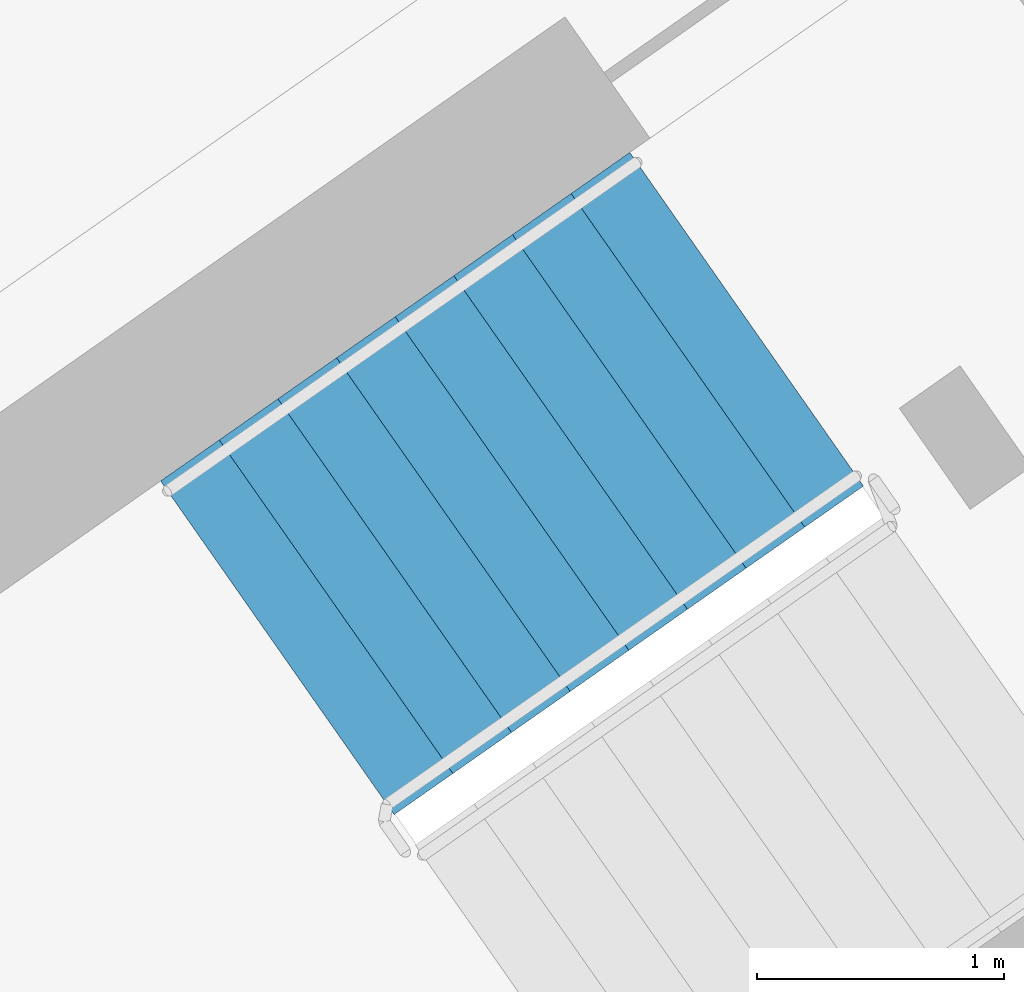
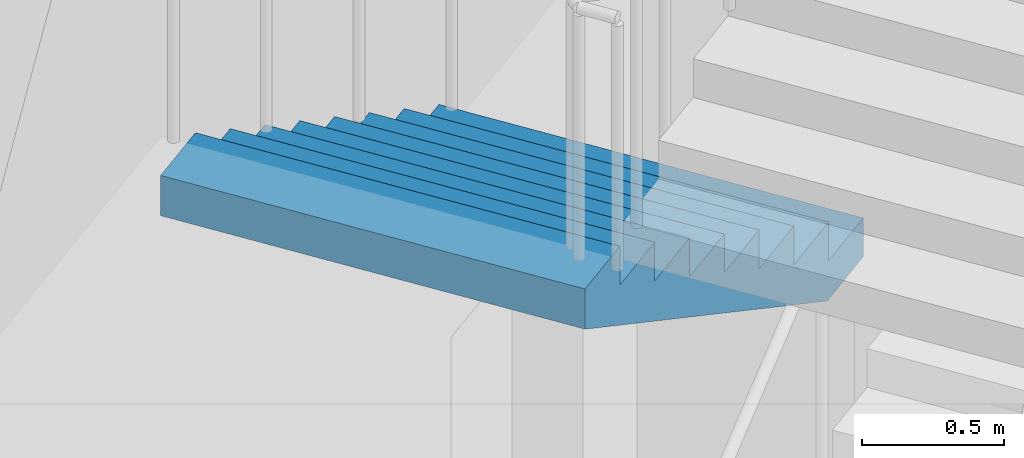
# One storey, part 19 of 41: 1 stair flight, 1 element without a shape of its own.
"""IFC4 building model written with IfcOpenShell, lengths in metres."""

from ifc_helpers import new_model, si_unit, direction, frame, origin, place, context, subcontext, project, spatial, faceted_brep, material, type_object, element, aggregate, save


model = new_model("IFC4")

# Units and contexts
model_context = context("Model", 3, precision=1e-05, world=origin(), true_north=direction((0.0, 1.0)))
body_context = subcontext(model_context, "Body", "Model", "MODEL_VIEW")
ifc_project = project(units=[si_unit("LENGTHUNIT", "METRE"), si_unit("AREAUNIT", "SQUARE_METRE"), si_unit("VOLUMEUNIT", "CUBIC_METRE"), si_unit("PLANEANGLEUNIT", "RADIAN"), si_unit("MASSUNIT", "GRAM", prefix="KILO")], contexts=[model_context])

# Site, building, storey
site_placement = place(None, origin())
site = spatial("IfcSite", under=ifc_project, at=site_placement, CompositionType="ELEMENT")
building_placement = place(site_placement, origin())
building = spatial("IfcBuilding", under=site, at=building_placement, Name="Qamariyya Broadcast Tower", CompositionType="ELEMENT")
storey_placement = place(building_placement, frame((0.0, 0.0, 284.699951171875)))
storey = spatial("IfcBuildingStorey", under=building, at=storey_placement, Name="L69", CompositionType="ELEMENT", Elevation=284.699951171875)

# Stair, stair flight
ifc_material = material(Name="Concrete C50/60", Category="concrete")
stair_type = type_object("IfcStairType", Name="Exit stair 36 risers of 167 mm", PredefinedType="HALF_TURN_STAIR", material=ifc_material)
stair_placement = place(storey_placement, origin())
stair = element("IfcStair", 1, at=stair_placement, inside=storey, type_object=stair_type, Name="L69 Stair E2", PredefinedType="HALF_TURN_STAIR")
stair_flight_type = type_object("IfcStairFlightType", Name="Exit stair flight 9 risers of 167 mm", PredefinedType="STRAIGHT", material=ifc_material)
stair_flight_placement = place(storey_placement, frame((40.558837890625, -47.685302734375, 3.0), z_axis=(0.0, 0.0, 1.0), x_axis=(-0.819152044289, -0.573576436351, 0.0)))
stair_flight = element("IfcStairFlight", 2, at=stair_flight_placement, type_object=stair_flight_type, Name="ST-E2 flight 3", NumberOfRisers=9, NumberOfTreads=8, PredefinedType="STRAIGHT", RiserHeight=0.166666667, TreadLength=0.29, context=body_context, shape_type="Brep", body=[
    faceted_brep([(0.0, 0.824951171875, 0.0), (0.0, 0.824951171875, 0.166748046875), (0.2900390625, 0.824951171875, 0.166748046875), (0.2900390625, 0.824951171875, 0.333251953125), (0.580078125, 0.824951171875, 0.333251953125), (0.580078125, 0.824951171875, 0.5), (0.8701171875, 0.824951171875, 0.5), (0.8701171875, 0.824951171875, 0.666748046875), (1.159912109375, 0.824951171875, 0.666748046875), (1.159912109375, 0.824951171875, 0.833251953125), (1.449951171875, 0.824951171875, 0.833251953125), (1.449951171875, 0.824951171875, 1.0), (1.739990234375, 0.824951171875, 1.0), (1.739990234375, 0.824951171875, 1.166748046875), (2.030029296875, 0.824951171875, 1.166748046875), (2.030029296875, 0.824951171875, 1.333251953125), (2.320068359375, 0.824951171875, 1.333251953125), (2.320068359375, 0.824951171875, 1.160400390625), (0.30078125, 0.824951171875, 0.0), (0.30078125, -0.824951171875, 0.0), (2.320068359375, -0.824951171875, 1.160400390625), (2.320068359375, -0.824951171875, 1.333251953125), (2.030029296875, -0.824951171875, 1.333251953125), (2.030029296875, -0.824951171875, 1.166748046875), (1.739990234375, -0.824951171875, 1.166748046875), (1.739990234375, -0.824951171875, 1.0), (1.449951171875, -0.824951171875, 1.0), (1.449951171875, -0.824951171875, 0.833251953125), (1.159912109375, -0.824951171875, 0.833251953125), (1.159912109375, -0.824951171875, 0.666748046875), (0.8701171875, -0.824951171875, 0.666748046875), (0.8701171875, -0.824951171875, 0.5), (0.580078125, -0.824951171875, 0.5), (0.580078125, -0.824951171875, 0.333251953125), (0.2900390625, -0.824951171875, 0.333251953125), (0.2900390625, -0.824951171875, 0.166748046875), (0.0, -0.824951171875, 0.166748046875), (0.0, -0.824951171875, 0.0), (0.0, 0.10009765625, 0.0), (0.0, 0.086669921875, 0.0), (0.0, 0.0732421875, 0.0), (0.0, 0.06005859375, 0.0), (0.0, 0.046630859375, 0.0), (0.0, 0.033447265625, 0.0), (0.0, 0.02001953125, 0.0), (0.0, 0.006591796875, 0.0), (0.0, -0.006591796875, 0.0), (0.0, -0.02001953125, 0.0), (0.0, -0.033447265625, 0.0), (0.0, -0.046630859375, 0.0), (0.0, -0.06005859375, 0.0), (0.0, -0.0732421875, 0.0), (0.0, -0.086669921875, 0.0), (0.0, -0.10009765625, 0.0), (0.0, -0.10009765625, 0.166748046875), (0.0, -0.086669921875, 0.166748046875), (0.0, -0.0732421875, 0.166748046875), (0.0, -0.06005859375, 0.166748046875), (0.0, -0.046630859375, 0.166748046875), (0.0, -0.033447265625, 0.166748046875), (0.0, -0.02001953125, 0.166748046875), (0.0, -0.006591796875, 0.166748046875), (0.0, 0.006591796875, 0.166748046875), (0.0, 0.02001953125, 0.166748046875), (0.0, 0.033447265625, 0.166748046875), (0.0, 0.046630859375, 0.166748046875), (0.0, 0.06005859375, 0.166748046875), (0.0, 0.0732421875, 0.166748046875), (0.0, 0.086669921875, 0.166748046875), (0.0, 0.10009765625, 0.166748046875), (0.2900390625, -0.10009765625, 0.166748046875), (0.2900390625, -0.086669921875, 0.166748046875), (0.2900390625, -0.0732421875, 0.166748046875), (0.2900390625, -0.06005859375, 0.166748046875), (0.2900390625, -0.046630859375, 0.166748046875), (0.2900390625, -0.033447265625, 0.166748046875), (0.2900390625, -0.02001953125, 0.166748046875), (0.2900390625, -0.006591796875, 0.166748046875), (0.2900390625, 0.006591796875, 0.166748046875), (0.2900390625, 0.02001953125, 0.166748046875), (0.2900390625, 0.033447265625, 0.166748046875), (0.2900390625, 0.046630859375, 0.166748046875), (0.2900390625, 0.06005859375, 0.166748046875), (0.2900390625, 0.0732421875, 0.166748046875), (0.2900390625, 0.086669921875, 0.166748046875), (0.2900390625, 0.10009765625, 0.166748046875), (0.2900390625, -0.10009765625, 0.333251953125), (0.2900390625, -0.086669921875, 0.333251953125), (0.2900390625, -0.0732421875, 0.333251953125), (0.2900390625, -0.06005859375, 0.333251953125), (0.2900390625, -0.046630859375, 0.333251953125), (0.2900390625, -0.033447265625, 0.333251953125), (0.2900390625, -0.02001953125, 0.333251953125), (0.2900390625, -0.006591796875, 0.333251953125), (0.2900390625, 0.006591796875, 0.333251953125), (0.2900390625, 0.02001953125, 0.333251953125), (0.2900390625, 0.033447265625, 0.333251953125), (0.2900390625, 0.046630859375, 0.333251953125), (0.2900390625, 0.06005859375, 0.333251953125), (0.2900390625, 0.0732421875, 0.333251953125), (0.2900390625, 0.086669921875, 0.333251953125), (0.2900390625, 0.10009765625, 0.333251953125), (0.580078125, -0.10009765625, 0.333251953125), (0.580078125, -0.086669921875, 0.333251953125), (0.580078125, -0.0732421875, 0.333251953125), (0.580078125, -0.06005859375, 0.333251953125), (0.580078125, -0.046630859375, 0.333251953125), (0.580078125, -0.033447265625, 0.333251953125), (0.580078125, -0.02001953125, 0.333251953125), (0.580078125, -0.006591796875, 0.333251953125), (0.580078125, 0.006591796875, 0.333251953125), (0.580078125, 0.02001953125, 0.333251953125), (0.580078125, 0.033447265625, 0.333251953125), (0.580078125, 0.046630859375, 0.333251953125), (0.580078125, 0.06005859375, 0.333251953125), (0.580078125, 0.0732421875, 0.333251953125), (0.580078125, 0.086669921875, 0.333251953125), (0.580078125, 0.10009765625, 0.333251953125), (0.580078125, -0.10009765625, 0.5), (0.580078125, -0.086669921875, 0.5), (0.580078125, -0.0732421875, 0.5), (0.580078125, -0.06005859375, 0.5), (0.580078125, -0.046630859375, 0.5), (0.580078125, -0.033447265625, 0.5), (0.580078125, -0.02001953125, 0.5), (0.580078125, -0.006591796875, 0.5), (0.580078125, 0.006591796875, 0.5), (0.580078125, 0.02001953125, 0.5), (0.580078125, 0.033447265625, 0.5), (0.580078125, 0.046630859375, 0.5), (0.580078125, 0.06005859375, 0.5), (0.580078125, 0.0732421875, 0.5), (0.580078125, 0.086669921875, 0.5), (0.580078125, 0.10009765625, 0.5), (0.8701171875, -0.10009765625, 0.5), (0.8701171875, -0.086669921875, 0.5), (0.8701171875, -0.0732421875, 0.5), (0.8701171875, -0.06005859375, 0.5), (0.8701171875, -0.046630859375, 0.5), (0.8701171875, -0.033447265625, 0.5), (0.8701171875, -0.02001953125, 0.5), (0.8701171875, -0.006591796875, 0.5), (0.8701171875, 0.006591796875, 0.5), (0.8701171875, 0.02001953125, 0.5), (0.8701171875, 0.033447265625, 0.5), (0.8701171875, 0.046630859375, 0.5), (0.8701171875, 0.06005859375, 0.5), (0.8701171875, 0.0732421875, 0.5), (0.8701171875, 0.086669921875, 0.5), (0.8701171875, 0.10009765625, 0.5), (0.8701171875, -0.10009765625, 0.666748046875), (0.8701171875, -0.086669921875, 0.666748046875), (0.8701171875, -0.0732421875, 0.666748046875), (0.8701171875, -0.06005859375, 0.666748046875), (0.8701171875, -0.046630859375, 0.666748046875), (0.8701171875, -0.033447265625, 0.666748046875), (0.8701171875, -0.02001953125, 0.666748046875), (0.8701171875, -0.006591796875, 0.666748046875), (0.8701171875, 0.006591796875, 0.666748046875), (0.8701171875, 0.02001953125, 0.666748046875), (0.8701171875, 0.033447265625, 0.666748046875), (0.8701171875, 0.046630859375, 0.666748046875), (0.8701171875, 0.06005859375, 0.666748046875), (0.8701171875, 0.0732421875, 0.666748046875), (0.8701171875, 0.086669921875, 0.666748046875), (0.8701171875, 0.10009765625, 0.666748046875), (1.159912109375, -0.10009765625, 0.666748046875), (1.159912109375, -0.086669921875, 0.666748046875), (1.159912109375, -0.0732421875, 0.666748046875), (1.159912109375, -0.06005859375, 0.666748046875), (1.159912109375, -0.046630859375, 0.666748046875), (1.159912109375, -0.033447265625, 0.666748046875), (1.159912109375, -0.02001953125, 0.666748046875), (1.159912109375, -0.006591796875, 0.666748046875), (1.159912109375, 0.006591796875, 0.666748046875), (1.159912109375, 0.02001953125, 0.666748046875), (1.159912109375, 0.033447265625, 0.666748046875), (1.159912109375, 0.046630859375, 0.666748046875), (1.159912109375, 0.06005859375, 0.666748046875), (1.159912109375, 0.0732421875, 0.666748046875), (1.159912109375, 0.086669921875, 0.666748046875), (1.159912109375, 0.10009765625, 0.666748046875), (1.159912109375, -0.10009765625, 0.833251953125), (1.159912109375, -0.086669921875, 0.833251953125), (1.159912109375, -0.0732421875, 0.833251953125), (1.159912109375, -0.06005859375, 0.833251953125), (1.159912109375, -0.046630859375, 0.833251953125), (1.159912109375, -0.033447265625, 0.833251953125), (1.159912109375, -0.02001953125, 0.833251953125), (1.159912109375, -0.006591796875, 0.833251953125), (1.159912109375, 0.006591796875, 0.833251953125), (1.159912109375, 0.02001953125, 0.833251953125), (1.159912109375, 0.033447265625, 0.833251953125), (1.159912109375, 0.046630859375, 0.833251953125), (1.159912109375, 0.06005859375, 0.833251953125), (1.159912109375, 0.0732421875, 0.833251953125), (1.159912109375, 0.086669921875, 0.833251953125), (1.159912109375, 0.10009765625, 0.833251953125), (1.449951171875, -0.10009765625, 0.833251953125), (1.449951171875, -0.086669921875, 0.833251953125), (1.449951171875, -0.0732421875, 0.833251953125), (1.449951171875, -0.06005859375, 0.833251953125), (1.449951171875, -0.046630859375, 0.833251953125), (1.449951171875, -0.033447265625, 0.833251953125), (1.449951171875, -0.02001953125, 0.833251953125), (1.449951171875, -0.006591796875, 0.833251953125), (1.449951171875, 0.006591796875, 0.833251953125), (1.449951171875, 0.02001953125, 0.833251953125), (1.449951171875, 0.033447265625, 0.833251953125), (1.449951171875, 0.046630859375, 0.833251953125), (1.449951171875, 0.06005859375, 0.833251953125), (1.449951171875, 0.0732421875, 0.833251953125), (1.449951171875, 0.086669921875, 0.833251953125), (1.449951171875, 0.10009765625, 0.833251953125), (1.449951171875, -0.10009765625, 1.0), (1.449951171875, -0.086669921875, 1.0), (1.449951171875, -0.0732421875, 1.0), (1.449951171875, -0.06005859375, 1.0), (1.449951171875, -0.046630859375, 1.0), (1.449951171875, -0.033447265625, 1.0), (1.449951171875, -0.02001953125, 1.0), (1.449951171875, -0.006591796875, 1.0), (1.449951171875, 0.006591796875, 1.0), (1.449951171875, 0.02001953125, 1.0), (1.449951171875, 0.033447265625, 1.0), (1.449951171875, 0.046630859375, 1.0), (1.449951171875, 0.06005859375, 1.0), (1.449951171875, 0.0732421875, 1.0), (1.449951171875, 0.086669921875, 1.0), (1.449951171875, 0.10009765625, 1.0), (1.739990234375, -0.10009765625, 1.0), (1.739990234375, -0.086669921875, 1.0), (1.739990234375, -0.0732421875, 1.0), (1.739990234375, -0.06005859375, 1.0), (1.739990234375, -0.046630859375, 1.0), (1.739990234375, -0.033447265625, 1.0), (1.739990234375, -0.02001953125, 1.0), (1.739990234375, -0.006591796875, 1.0), (1.739990234375, 0.006591796875, 1.0), (1.739990234375, 0.02001953125, 1.0), (1.739990234375, 0.033447265625, 1.0), (1.739990234375, 0.046630859375, 1.0), (1.739990234375, 0.06005859375, 1.0), (1.739990234375, 0.0732421875, 1.0), (1.739990234375, 0.086669921875, 1.0), (1.739990234375, 0.10009765625, 1.0), (1.739990234375, -0.10009765625, 1.166748046875), (1.739990234375, -0.086669921875, 1.166748046875), (1.739990234375, -0.0732421875, 1.166748046875), (1.739990234375, -0.06005859375, 1.166748046875), (1.739990234375, -0.046630859375, 1.166748046875), (1.739990234375, -0.033447265625, 1.166748046875), (1.739990234375, -0.02001953125, 1.166748046875), (1.739990234375, -0.006591796875, 1.166748046875), (1.739990234375, 0.006591796875, 1.166748046875), (1.739990234375, 0.02001953125, 1.166748046875), (1.739990234375, 0.033447265625, 1.166748046875), (1.739990234375, 0.046630859375, 1.166748046875), (1.739990234375, 0.06005859375, 1.166748046875), (1.739990234375, 0.0732421875, 1.166748046875), (1.739990234375, 0.086669921875, 1.166748046875), (1.739990234375, 0.10009765625, 1.166748046875), (2.030029296875, -0.10009765625, 1.166748046875), (2.030029296875, -0.086669921875, 1.166748046875), (2.030029296875, -0.0732421875, 1.166748046875), (2.030029296875, -0.06005859375, 1.166748046875), (2.030029296875, -0.046630859375, 1.166748046875), (2.030029296875, -0.033447265625, 1.166748046875), (2.030029296875, -0.02001953125, 1.166748046875), (2.030029296875, -0.006591796875, 1.166748046875), (2.030029296875, 0.006591796875, 1.166748046875), (2.030029296875, 0.02001953125, 1.166748046875), (2.030029296875, 0.033447265625, 1.166748046875), (2.030029296875, 0.046630859375, 1.166748046875), (2.030029296875, 0.06005859375, 1.166748046875), (2.030029296875, 0.0732421875, 1.166748046875), (2.030029296875, 0.086669921875, 1.166748046875), (2.030029296875, 0.10009765625, 1.166748046875), (2.030029296875, -0.10009765625, 1.333251953125), (2.030029296875, -0.086669921875, 1.333251953125), (2.030029296875, -0.0732421875, 1.333251953125), (2.030029296875, -0.06005859375, 1.333251953125), (2.030029296875, -0.046630859375, 1.333251953125), (2.030029296875, -0.033447265625, 1.333251953125), (2.030029296875, -0.02001953125, 1.333251953125), (2.030029296875, -0.006591796875, 1.333251953125), (2.030029296875, 0.006591796875, 1.333251953125), (2.030029296875, 0.02001953125, 1.333251953125), (2.030029296875, 0.033447265625, 1.333251953125), (2.030029296875, 0.046630859375, 1.333251953125), (2.030029296875, 0.06005859375, 1.333251953125), (2.030029296875, 0.0732421875, 1.333251953125), (2.030029296875, 0.086669921875, 1.333251953125), (2.030029296875, 0.10009765625, 1.333251953125), (2.320068359375, -0.10009765625, 1.333251953125), (2.320068359375, -0.086669921875, 1.333251953125), (2.320068359375, -0.0732421875, 1.333251953125), (2.320068359375, -0.06005859375, 1.333251953125), (2.320068359375, -0.046630859375, 1.333251953125), (2.320068359375, -0.033447265625, 1.333251953125), (2.320068359375, -0.02001953125, 1.333251953125), (2.320068359375, -0.006591796875, 1.333251953125), (2.320068359375, 0.006591796875, 1.333251953125), (2.320068359375, 0.02001953125, 1.333251953125), (2.320068359375, 0.033447265625, 1.333251953125), (2.320068359375, 0.046630859375, 1.333251953125), (2.320068359375, 0.06005859375, 1.333251953125), (2.320068359375, 0.0732421875, 1.333251953125), (2.320068359375, 0.086669921875, 1.333251953125), (2.320068359375, 0.10009765625, 1.333251953125), (2.320068359375, -0.10009765625, 1.160400390625), (2.320068359375, -0.086669921875, 1.160400390625), (2.320068359375, -0.0732421875, 1.160400390625), (2.320068359375, -0.06005859375, 1.160400390625), (2.320068359375, -0.046630859375, 1.160400390625), (2.320068359375, -0.033447265625, 1.160400390625), (2.320068359375, -0.02001953125, 1.160400390625), (2.320068359375, -0.006591796875, 1.160400390625), (2.320068359375, 0.006591796875, 1.160400390625), (2.320068359375, 0.02001953125, 1.160400390625), (2.320068359375, 0.033447265625, 1.160400390625), (2.320068359375, 0.046630859375, 1.160400390625), (2.320068359375, 0.06005859375, 1.160400390625), (2.320068359375, 0.0732421875, 1.160400390625), (2.320068359375, 0.086669921875, 1.160400390625), (2.320068359375, 0.10009765625, 1.160400390625), (0.30078125, -0.10009765625, 0.0), (0.30078125, -0.086669921875, 0.0), (0.30078125, -0.0732421875, 0.0), (0.30078125, -0.06005859375, 0.0), (0.30078125, -0.046630859375, 0.0), (0.30078125, -0.033447265625, 0.0), (0.30078125, -0.02001953125, 0.0), (0.30078125, -0.006591796875, 0.0), (0.30078125, 0.006591796875, 0.0), (0.30078125, 0.02001953125, 0.0), (0.30078125, 0.033447265625, 0.0), (0.30078125, 0.046630859375, 0.0), (0.30078125, 0.06005859375, 0.0), (0.30078125, 0.0732421875, 0.0), (0.30078125, 0.086669921875, 0.0), (0.30078125, 0.10009765625, 0.0)], [[[0, 1, 2, 3, 4, 5, 6, 7, 8, 9, 10, 11, 12, 13, 14, 15, 16, 17, 18]], [[19, 20, 21, 22, 23, 24, 25, 26, 27, 28, 29, 30, 31, 32, 33, 34, 35, 36, 37]], [[0, 38, 39, 40, 41, 42, 43, 44, 45, 46, 47, 48, 49, 50, 51, 52, 53, 37, 36, 54, 55, 56, 57, 58, 59, 60, 61, 62, 63, 64, 65, 66, 67, 68, 69, 1]], [[1, 69, 68, 67, 66, 65, 64, 63, 62, 61, 60, 59, 58, 57, 56, 55, 54, 36, 35, 70, 71, 72, 73, 74, 75, 76, 77, 78, 79, 80, 81, 82, 83, 84, 85, 2]], [[2, 85, 84, 83, 82, 81, 80, 79, 78, 77, 76, 75, 74, 73, 72, 71, 70, 35, 34, 86, 87, 88, 89, 90, 91, 92, 93, 94, 95, 96, 97, 98, 99, 100, 101, 3]], [[3, 101, 100, 99, 98, 97, 96, 95, 94, 93, 92, 91, 90, 89, 88, 87, 86, 34, 33, 102, 103, 104, 105, 106, 107, 108, 109, 110, 111, 112, 113, 114, 115, 116, 117, 4]], [[4, 117, 116, 115, 114, 113, 112, 111, 110, 109, 108, 107, 106, 105, 104, 103, 102, 33, 32, 118, 119, 120, 121, 122, 123, 124, 125, 126, 127, 128, 129, 130, 131, 132, 133, 5]], [[5, 133, 132, 131, 130, 129, 128, 127, 126, 125, 124, 123, 122, 121, 120, 119, 118, 32, 31, 134, 135, 136, 137, 138, 139, 140, 141, 142, 143, 144, 145, 146, 147, 148, 149, 6]], [[6, 149, 148, 147, 146, 145, 144, 143, 142, 141, 140, 139, 138, 137, 136, 135, 134, 31, 30, 150, 151, 152, 153, 154, 155, 156, 157, 158, 159, 160, 161, 162, 163, 164, 165, 7]], [[7, 165, 164, 163, 162, 161, 160, 159, 158, 157, 156, 155, 154, 153, 152, 151, 150, 30, 29, 166, 167, 168, 169, 170, 171, 172, 173, 174, 175, 176, 177, 178, 179, 180, 181, 8]], [[8, 181, 180, 179, 178, 177, 176, 175, 174, 173, 172, 171, 170, 169, 168, 167, 166, 29, 28, 182, 183, 184, 185, 186, 187, 188, 189, 190, 191, 192, 193, 194, 195, 196, 197, 9]], [[9, 197, 196, 195, 194, 193, 192, 191, 190, 189, 188, 187, 186, 185, 184, 183, 182, 28, 27, 198, 199, 200, 201, 202, 203, 204, 205, 206, 207, 208, 209, 210, 211, 212, 213, 10]], [[10, 213, 212, 211, 210, 209, 208, 207, 206, 205, 204, 203, 202, 201, 200, 199, 198, 27, 26, 214, 215, 216, 217, 218, 219, 220, 221, 222, 223, 224, 225, 226, 227, 228, 229, 11]], [[11, 229, 228, 227, 226, 225, 224, 223, 222, 221, 220, 219, 218, 217, 216, 215, 214, 26, 25, 230, 231, 232, 233, 234, 235, 236, 237, 238, 239, 240, 241, 242, 243, 244, 245, 12]], [[12, 245, 244, 243, 242, 241, 240, 239, 238, 237, 236, 235, 234, 233, 232, 231, 230, 25, 24, 246, 247, 248, 249, 250, 251, 252, 253, 254, 255, 256, 257, 258, 259, 260, 261, 13]], [[13, 261, 260, 259, 258, 257, 256, 255, 254, 253, 252, 251, 250, 249, 248, 247, 246, 24, 23, 262, 263, 264, 265, 266, 267, 268, 269, 270, 271, 272, 273, 274, 275, 276, 277, 14]], [[14, 277, 276, 275, 274, 273, 272, 271, 270, 269, 268, 267, 266, 265, 264, 263, 262, 23, 22, 278, 279, 280, 281, 282, 283, 284, 285, 286, 287, 288, 289, 290, 291, 292, 293, 15]], [[15, 293, 292, 291, 290, 289, 288, 287, 286, 285, 284, 283, 282, 281, 280, 279, 278, 22, 21, 294, 295, 296, 297, 298, 299, 300, 301, 302, 303, 304, 305, 306, 307, 308, 309, 16]], [[16, 309, 308, 307, 306, 305, 304, 303, 302, 301, 300, 299, 298, 297, 296, 295, 294, 21, 20, 310, 311, 312, 313, 314, 315, 316, 317, 318, 319, 320, 321, 322, 323, 324, 325, 17]], [[17, 325, 324, 323, 322, 321, 320, 319, 318, 317, 316, 315, 314, 313, 312, 311, 310, 20, 19, 326, 327, 328, 329, 330, 331, 332, 333, 334, 335, 336, 337, 338, 339, 340, 341, 18]], [[18, 341, 340, 339, 338, 337, 336, 335, 334, 333, 332, 331, 330, 329, 328, 327, 326, 19, 37, 53, 52, 51, 50, 49, 48, 47, 46, 45, 44, 43, 42, 41, 40, 39, 38, 0]]]),
])
aggregate(stair, [stair_flight])

save(model, "model.ifc")
